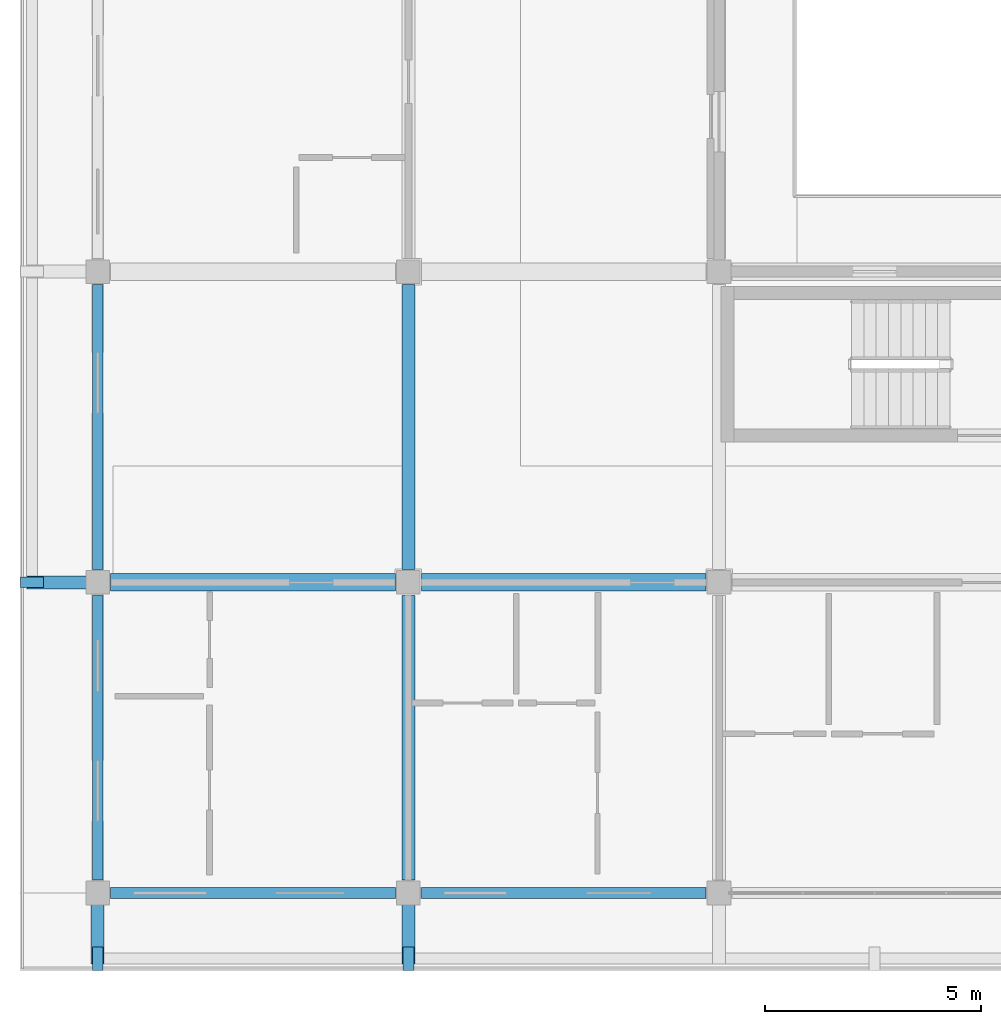
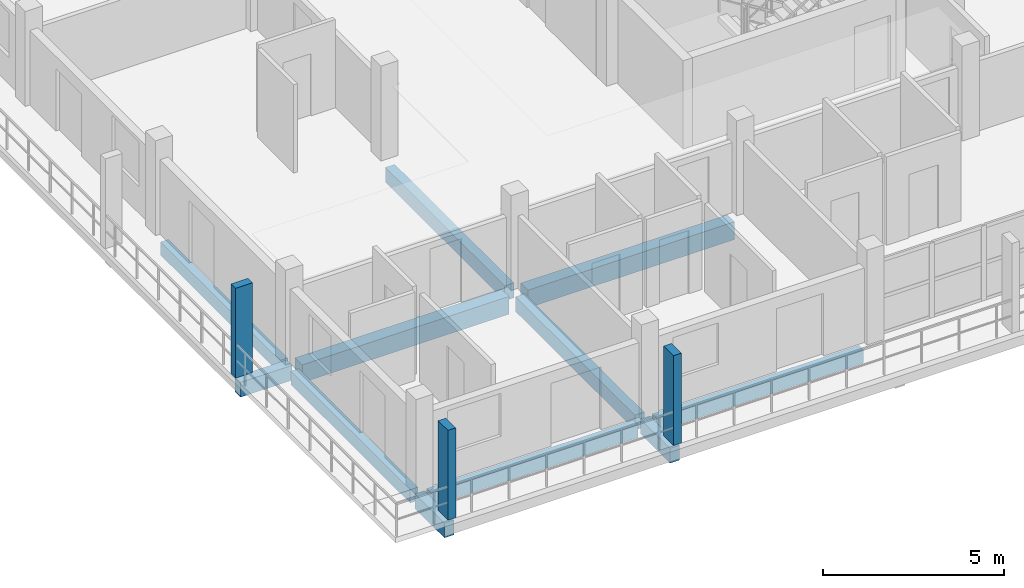
# One storey, part 3 of 73: 11 beams, 3 members.
"""IFC4 building model written with IfcOpenShell, lengths in metres."""

from ifc_helpers import new_model, si_unit, direction, frame, origin, origin_2d, place, context, subcontext, project, spatial, rectangle, extrude, material, material_profile, profile_set, type_object, element, save


model = new_model("IFC4")

# Units and contexts
model_context = context("Model", 3, precision=1e-05, world=origin(), true_north=direction((0.0, 1.0)))
body_context = subcontext(model_context, "Body", "Model", "MODEL_VIEW")
ifc_project = project(units=[si_unit("LENGTHUNIT", "METRE"), si_unit("AREAUNIT", "SQUARE_METRE"), si_unit("VOLUMEUNIT", "CUBIC_METRE"), si_unit("PLANEANGLEUNIT", "RADIAN"), si_unit("MASSUNIT", "GRAM", prefix="KILO")], contexts=[model_context])

# Site, building, storey
site_placement = place(None, origin())
site = spatial("IfcSite", under=ifc_project, at=site_placement, CompositionType="ELEMENT")
building_placement = place(site_placement, origin())
building = spatial("IfcBuilding", under=site, at=building_placement, Name="Suanplinth Sawtooth Commons", CompositionType="ELEMENT")
storey_placement = place(building_placement, frame((0.0, 0.0, 21.89990234375)))
storey = spatial("IfcBuildingStorey", under=building, at=storey_placement, Name="L06", CompositionType="ELEMENT", Elevation=21.89990234375)

# Beams
ifc_material_1 = material(Name="Precast concrete C40/50", Category="concrete")
ifc_material_profile_1 = material_profile(ifc_material_1, rectangle(XDim=0.39990234375, YDim=0.60009765625, at=origin_2d()), Name="PC-GDR 400x600")
ifc_profile_set_1 = profile_set([ifc_material_profile_1], Name="Precast concrete C40/50")
beam_type_1 = type_object("IfcBeamType", Name="B-05", PredefinedType="USERDEFINED", material=ifc_profile_set_1)
beam_1_placement = place(storey_placement, frame((0.300048828125, 7.199951171875, -0.539794921875), z_axis=(1.0, 0.0, 0.0), x_axis=(0.0, 1.0, 0.0)))
element("IfcBeam", 1, at=beam_1_placement, inside=storey, type_object=beam_type_1, Name="BMX-L06-D-0-1", ObjectType="GIRDER", PredefinedType="USERDEFINED", context=body_context, shape_type="SweptSolid", body=[
    extrude(rectangle(XDim=0.39990234375, YDim=0.60009765625, at=origin_2d()), origin(), (0.0, 0.0, 1.0), 6.599853515625),
])
beam_2_placement = place(storey_placement, frame((7.5, 7.199951171875, -0.539794921875), z_axis=(1.0, 0.0, 0.0), x_axis=(0.0, 1.0, 0.0)))
element("IfcBeam", 2, at=beam_2_placement, inside=storey, type_object=beam_type_1, Name="BMX-L06-D-1-1", ObjectType="GIRDER", PredefinedType="USERDEFINED", context=body_context, shape_type="SweptSolid", body=[
    extrude(rectangle(XDim=0.39990234375, YDim=0.60009765625, at=origin_2d()), origin(), (0.0, 0.0, 1.0), 6.60009765625),
])
ifc_material_profile_2 = material_profile(ifc_material_1, rectangle(XDim=0.300048828125, YDim=0.5, at=origin_2d()), Name="PC-BM 300x500")
ifc_profile_set_2 = profile_set([ifc_material_profile_2], Name="Precast concrete C40/50")
beam_type_2 = type_object("IfcBeamType", Name="B-07", PredefinedType="BEAM", material=ifc_profile_set_2)
beam_3_placement = place(storey_placement, frame((7.199951171875, 0.300048828125, -0.489990234375), z_axis=(0.0, 1.0, 0.0), x_axis=(-1.0, 0.0, 0.0)))
element("IfcBeam", 3, at=beam_3_placement, inside=storey, type_object=beam_type_2, Name="BMY-L06-D-1-0", PredefinedType="BEAM", context=body_context, shape_type="SweptSolid", body=[
    extrude(rectangle(XDim=0.300048828125, YDim=0.5, at=origin_2d()), origin(), (0.0, 0.0, 1.0), 6.599853515625),
])
beam_4_placement = place(storey_placement, frame((7.199951171875, 7.5, -0.489990234375), z_axis=(0.0, 1.0, 0.0), x_axis=(-1.0, 0.0, 0.0)))
element("IfcBeam", 4, at=beam_4_placement, inside=storey, type_object=beam_type_2, Name="BMY-L06-D-1-1", PredefinedType="BEAM", context=body_context, shape_type="SweptSolid", body=[
    extrude(rectangle(XDim=0.300048828125, YDim=0.5, at=origin_2d()), origin(), (0.0, 0.0, 1.0), 6.60009765625),
])
for number, where, z_axis, x_axis, name in (
    (5, (0.0, 0.0, -0.429931640625), (0.0, -1.0, 0.0), (1.0, 0.0, 0.0), "Balcony Outrigger L06-D-S-0"),
    (6, (7.199951171875, 0.0, -0.429931640625), (0.0, -1.0, 0.0), (1.0, 0.0, 0.0), "Balcony Outrigger L06-D-S-1"),
    (7, (0.0, 7.199951171875, -0.429931640625), (-1.0, 0.0, 0.0), (0.0, -1.0, 0.0), "Balcony Outrigger L06-D-W-1"),
):
    element("IfcBeam", number, at=place(storey_placement, frame(where, z_axis=z_axis, x_axis=x_axis)), inside=storey, type_object=beam_type_2, Name=name, PredefinedType="BEAM", context=body_context, shape_type="SweptSolid", body=[
        extrude(rectangle(XDim=0.300048828125, YDim=0.5, at=origin_2d()), origin(), (0.0, 0.0, 1.0), 1.639892578125),
    ])
ifc_material_profile_3 = material_profile(ifc_material_1, rectangle(XDim=0.25, YDim=0.449951171875, at=origin_2d()), Name="PC-SP 250x450")
ifc_profile_set_3 = profile_set([ifc_material_profile_3], Name="Precast concrete C40/50")
beam_type_3 = type_object("IfcBeamType", Name="B-09", PredefinedType="SPANDREL", material=ifc_profile_set_3)
beam_5_placement = place(storey_placement, frame((0.300048828125, 0.0, -0.46484375), z_axis=(1.0, 0.0, 0.0), x_axis=(0.0, 1.0, 0.0)))
element("IfcBeam", 8, at=beam_5_placement, inside=storey, type_object=beam_type_3, Name="BMX-L06-D-0-0", PredefinedType="SPANDREL", context=body_context, shape_type="SweptSolid", body=[
    extrude(rectangle(XDim=0.25, YDim=0.449951171875, at=origin_2d()), origin(), (0.0, 0.0, 1.0), 6.599853515625),
])
beam_6_placement = place(storey_placement, frame((7.5, 0.0, -0.46484375), z_axis=(1.0, 0.0, 0.0), x_axis=(0.0, 1.0, 0.0)))
element("IfcBeam", 9, at=beam_6_placement, inside=storey, type_object=beam_type_3, Name="BMX-L06-D-1-0", PredefinedType="SPANDREL", context=body_context, shape_type="SweptSolid", body=[
    extrude(rectangle(XDim=0.25, YDim=0.449951171875, at=origin_2d()), origin(), (0.0, 0.0, 1.0), 6.60009765625),
])
beam_7_placement = place(storey_placement, frame((0.0, 0.300048828125, -0.46484375), z_axis=(0.0, 1.0, 0.0), x_axis=(-1.0, 0.0, 0.0)))
element("IfcBeam", 10, at=beam_7_placement, inside=storey, type_object=beam_type_3, Name="BMY-L06-D-0-0", PredefinedType="SPANDREL", context=body_context, shape_type="SweptSolid", body=[
    extrude(rectangle(XDim=0.25, YDim=0.449951171875, at=origin_2d()), origin(), (0.0, 0.0, 1.0), 6.599853515625),
])
beam_8_placement = place(storey_placement, frame((0.0, 7.5, -0.46484375), z_axis=(0.0, 1.0, 0.0), x_axis=(-1.0, 0.0, 0.0)))
element("IfcBeam", 11, at=beam_8_placement, inside=storey, type_object=beam_type_3, Name="BMY-L06-D-0-1", PredefinedType="SPANDREL", context=body_context, shape_type="SweptSolid", body=[
    extrude(rectangle(XDim=0.25, YDim=0.449951171875, at=origin_2d()), origin(), (0.0, 0.0, 1.0), 6.60009765625),
])

# Members
ifc_material_2 = material(Name="Pigmented precast concrete C40/50", Category="concrete")
ifc_material_profile_4 = material_profile(ifc_material_2, rectangle(XDim=0.25, YDim=0.5400390625, at=origin_2d()), Name="PC-FIN 250x540")
ifc_profile_set_4 = profile_set([ifc_material_profile_4], Name="Pigmented precast concrete C40/50")
member_type = type_object("IfcMemberType", Name="M-11", PredefinedType="USERDEFINED", material=ifc_profile_set_4)
for number, where, z_axis, x_axis, name in (
    (12, (0.0, -1.52001953125, 0.0), (0.0, 0.0, 1.0), (1.0, 0.0, 0.0), "Upright Solar Blade L06-D-S-01"),
    (13, (7.199951171875, -1.52001953125, 0.0), (0.0, 0.0, 1.0), (1.0, 0.0, 0.0), "Upright Solar Blade L06-D-S-02"),
    (14, (-1.52001953125, 7.199951171875, 0.0), (0.0, 0.0, 1.0), (0.0, 1.0, 0.0), "Upright Solar Blade L06-D-W-10"),
):
    element("IfcMember", number, at=place(storey_placement, frame(where, z_axis=z_axis, x_axis=x_axis)), inside=storey, type_object=member_type, Name=name, ObjectType="SHADING FIN", PredefinedType="USERDEFINED", context=body_context, shape_type="SweptSolid", body=[
        extrude(rectangle(XDim=0.25, YDim=0.5400390625, at=origin_2d()), origin(), (0.0, 0.0, 1.0), 3.030029296875),
    ])

save(model, "model.ifc")
